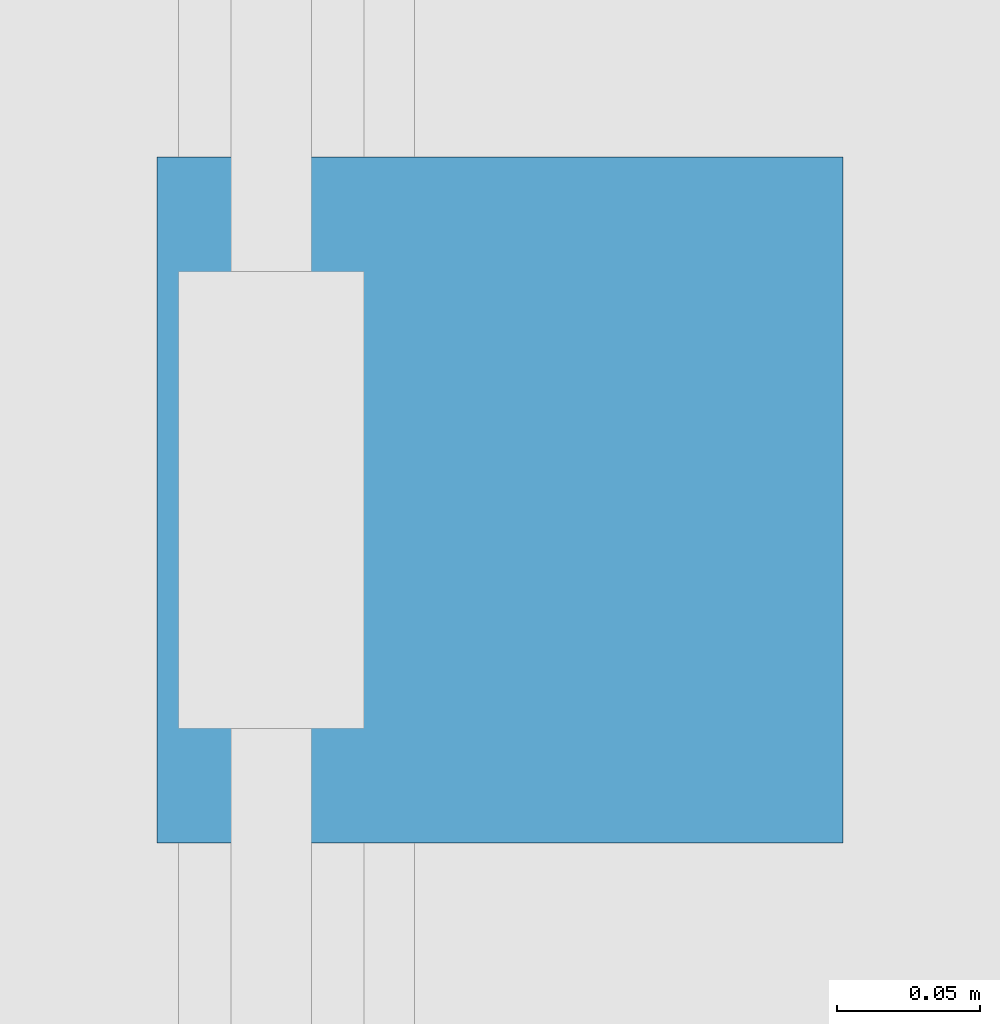
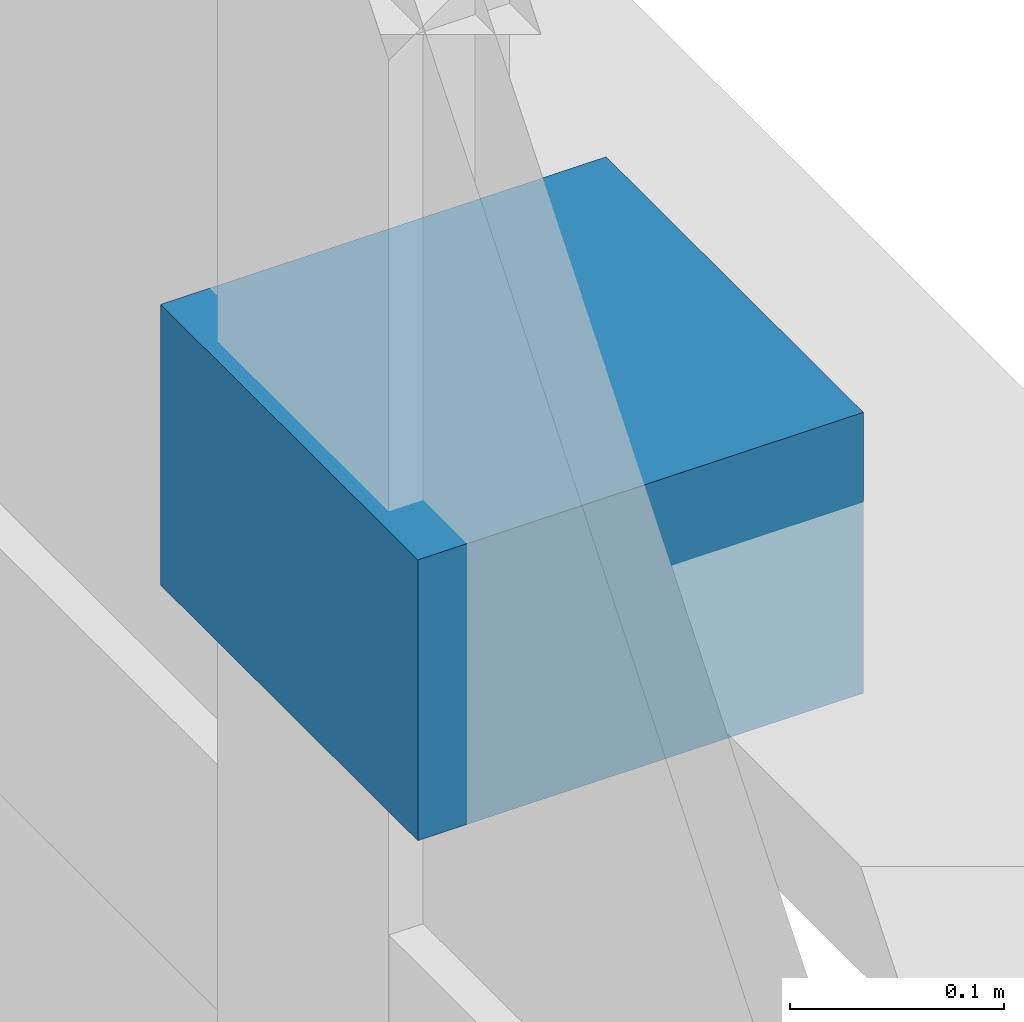
# One storey, part 106 of 114: 1 discrete accessory.
"""IFC4 building model written with IfcOpenShell, lengths in metres."""

import ifcopenshell
import ifcopenshell.guid

model = None  # the IFC model being written
_history = None  # IfcOwnerHistory: only IFC2X3 demands one
_inside = {}  # id of a spatial element -> (the spatial element, [elements in it])
_under = {}  # id of a project, library or spatial element -> (it, [spatial elements below it])
_declared = {}  # id of a project -> (the project, [libraries it declares])
_typed = {}  # id of a type object -> (the type object, [elements of that type])
_made_of = {}  # id of a material, layer set ... -> (it, [elements and type objects made of it])


def new_model(schema):
    """Start an empty IFC model of exactly this schema.

    Asked for "IFC4X3", IfcOpenShell would pick the latest addendum, in which some entities
    have other attributes; the version numbers below select the first issue.
    IFC2X3 requires an IfcOwnerHistory on every rooted entity: one is made here for all.
    """
    global model, _history
    if schema == "IFC4X3":
        model = ifcopenshell.file(schema_version=(4, 3, 0, 0))
    else:
        model = ifcopenshell.file(schema=schema)
    _inside.clear()
    _under.clear()
    _declared.clear()
    _typed.clear()
    _made_of.clear()
    _history = None
    if model.schema == "IFC2X3":
        org = make("IfcOrganization", Name="unknown")
        user = make(
            "IfcPersonAndOrganization",
            ThePerson=make("IfcPerson", FamilyName="unknown"),
            TheOrganization=org,
        )
        app = make(
            "IfcApplication",
            ApplicationDeveloper=org,
            Version="unknown",
            ApplicationFullName="unknown",
            ApplicationIdentifier="unknown",
        )
        _history = make(
            "IfcOwnerHistory",
            OwningUser=user,
            OwningApplication=app,
            ChangeAction="ADDED",
            CreationDate=0,
        )
    return model


def make(cls, **values):
    """One entity of the class cls with the attributes given. An attribute that is None is left unset."""
    return model.create_entity(
        cls, **{name: value for name, value in values.items() if value is not None}
    )


def rooted(cls, **values):
    """An entity with a GlobalId (a new one), such as an element, a storey or a relation."""
    return make(cls, GlobalId=ifcopenshell.guid.new(), OwnerHistory=_history, **values)


def si_unit(unit_type, name, prefix=None):
    """IfcSIUnit, for example si_unit("LENGTHUNIT", "METRE", prefix="MILLI")."""
    return make("IfcSIUnit", UnitType=unit_type, Prefix=prefix, Name=name)


def assignment(units):
    """IfcUnitAssignment: the units of a project."""
    return None if units is None else make("IfcUnitAssignment", Units=units)


def point(xyz):
    """IfcCartesianPoint."""
    return None if xyz is None else make("IfcCartesianPoint", Coordinates=xyz)


def direction(xyz):
    """IfcDirection."""
    return None if xyz is None else make("IfcDirection", DirectionRatios=xyz)


def frame(location, z_axis=None, x_axis=None):
    """IfcAxis2Placement3D, a coordinate frame: its origin and axes. An axis left out is left unset."""
    return make(
        "IfcAxis2Placement3D",
        Location=point(location),
        Axis=direction(z_axis),
        RefDirection=direction(x_axis),
    )


def frame_2d(location, x_axis=None):
    """IfcAxis2Placement2D, a coordinate frame in the plane: its origin and x axis."""
    return make(
        "IfcAxis2Placement2D", Location=point(location), RefDirection=direction(x_axis)
    )


def origin():
    """The frame at (0, 0, 0) with its axes left unset."""
    return frame((0.0, 0.0, 0.0))


def origin_2d():
    """The frame at (0, 0) in the plane with its x axis left unset."""
    return frame_2d((0.0, 0.0))


def place(relative_to, where):
    """IfcLocalPlacement: puts the frame where relative to a parent placement (None: the world)."""
    return make(
        "IfcLocalPlacement", PlacementRelTo=relative_to, RelativePlacement=where
    )


def context(
    kind, dimensions, precision=None, world=None, true_north=None, identifier=None
):
    """IfcGeometricRepresentationContext, for example the 3D "Model" context."""
    return make(
        "IfcGeometricRepresentationContext",
        ContextIdentifier=identifier,
        ContextType=kind,
        CoordinateSpaceDimension=dimensions,
        Precision=precision,
        WorldCoordinateSystem=world,
        TrueNorth=true_north,
    )


def subcontext(parent, identifier, kind, view, scale=None):
    """IfcGeometricRepresentationSubContext, for example "Body" below "Model"."""
    return make(
        "IfcGeometricRepresentationSubContext",
        ContextIdentifier=identifier,
        ContextType=kind,
        ParentContext=parent,
        TargetScale=scale,
        TargetView=view,
    )


def project(units=None, contexts=None):
    """IfcProject with its units and contexts."""
    return rooted(
        "IfcProject",
        Name="project",
        RepresentationContexts=contexts,
        UnitsInContext=assignment(units),
    )


def spatial(cls, under=None, at=None, **own):
    """A site, building, storey or space (cls), placed at a placement, below another one or the project."""
    s = rooted(cls, ObjectPlacement=at, **own)
    if under is not None:
        _under.setdefault(under.id(), (under, []))[1].append(s)
    return s


def profile(cls, at=None, kind="AREA", **sizes):
    """A parametric profile (cls). Its sizes go by their IFC names, for example OverallWidth=200.0."""
    return make(cls, ProfileType=kind, Position=at, **sizes)


def rectangle(**sizes):
    """IfcRectangleProfileDef."""
    return profile("IfcRectangleProfileDef", **sizes)


def extrude(swept, where, along, depth):
    """IfcExtrudedAreaSolid: the profile swept, set in the frame where, extruded along a direction by depth."""
    return make(
        "IfcExtrudedAreaSolid",
        SweptArea=swept,
        Position=where,
        ExtrudedDirection=direction(along),
        Depth=depth,
    )


def shape(context_of_items, identifier, shape_type, items):
    """IfcShapeRepresentation: the items that make up one representation, for example the "Body"."""
    return make(
        "IfcShapeRepresentation",
        ContextOfItems=context_of_items,
        RepresentationIdentifier=identifier,
        RepresentationType=shape_type,
        Items=items,
    )


def material(Name=None, Category=None):
    """IfcMaterial."""
    return make("IfcMaterial", Name=Name, Category=Category)


def made_of(thing, what):
    """Note that an element or type object is made of a material, layer set ...; save() writes the relation."""
    if what is not None:
        _made_of.setdefault(what.id(), (what, []))[1].append(thing)
    return thing


def type_object(cls, material=None, **own):
    """A type object (cls), such as IfcWallType, which elements share."""
    return made_of(rooted(cls, **own), material)


def element(
    cls,
    number,
    at=None,
    inside=None,
    cuts=None,
    type_object=None,
    material=None,
    context=None,
    identifier="Body",
    shape_type=None,
    held_by="IfcProductDefinitionShape",
    body=None,
    shapes=None,
    **own,
):
    """One element of the class cls, such as IfcWall. Its Tag is "e" and its number.

    at: its placement. inside: the storey or other place that contains it. cuts: it is an
    opening in that element (IfcRelVoidsElement). A single representation is given by context,
    identifier, shape_type and body (its items); several are given by shapes. held_by: the class
    of the entity that holds the representations. save() writes the other relations.
    """
    e = rooted(cls, Tag="e%d" % number, ObjectPlacement=at, **own)
    if body is not None:
        shapes = [shape(context, identifier, shape_type, body)]
    if shapes is not None:
        e.Representation = make(held_by, Representations=shapes)
    if inside is not None:
        _inside.setdefault(inside.id(), (inside, []))[1].append(e)
    if cuts is not None:
        rooted(
            "IfcRelVoidsElement", RelatingBuildingElement=cuts, RelatedOpeningElement=e
        )
    if type_object is not None:
        _typed.setdefault(type_object.id(), (type_object, []))[1].append(e)
    return made_of(e, material)


def aggregate(whole, parts):
    """IfcRelAggregates: a whole, such as a stair, and the parts it consists of."""
    return rooted("IfcRelAggregates", RelatingObject=whole, RelatedObjects=parts)


def save(model, path):
    """Write the relations noted so far, then the file.

    IfcRelAggregates (storeys below a building ...), IfcRelContainedInSpatialStructure (elements
    in a storey), IfcRelDefinesByType, IfcRelAssociatesMaterial and IfcRelDeclares: one each for
    every whole, place, type object, material and project.
    """
    for whole, parts in _under.values():
        aggregate(whole, parts)
    for where, things in _inside.values():
        rooted(
            "IfcRelContainedInSpatialStructure",
            RelatedElements=things,
            RelatingStructure=where,
        )
    for kind, things in _typed.values():
        rooted("IfcRelDefinesByType", RelatedObjects=things, RelatingType=kind)
    for what, things in _made_of.values():
        rooted("IfcRelAssociatesMaterial", RelatedObjects=things, RelatingMaterial=what)
    for by, libraries in _declared.values():
        rooted("IfcRelDeclares", RelatingContext=by, RelatedDefinitions=libraries)
    model.write(path)


model = new_model("IFC4")

# Units and contexts
model_context = context("Model", 3, precision=1e-05, world=origin(), true_north=direction((0.0, 1.0)))
body_context = subcontext(model_context, "Body", "Model", "MODEL_VIEW")
ifc_project = project(units=[si_unit("LENGTHUNIT", "METRE"), si_unit("AREAUNIT", "SQUARE_METRE"), si_unit("VOLUMEUNIT", "CUBIC_METRE"), si_unit("PLANEANGLEUNIT", "RADIAN"), si_unit("MASSUNIT", "GRAM", prefix="KILO")], contexts=[model_context])

# Site, building, storey
site_placement = place(None, origin())
site = spatial("IfcSite", under=ifc_project, at=site_placement, CompositionType="ELEMENT")
building_placement = place(site_placement, origin())
building = spatial("IfcBuilding", under=site, at=building_placement, Name="Tameran Prism Museum", CompositionType="ELEMENT")
storey_placement = place(building_placement, frame((0.0, 0.0, 10.199951171875)))
storey = spatial("IfcBuildingStorey", under=building, at=storey_placement, Name="L02", CompositionType="ELEMENT", Elevation=10.199951171875)

# Discrete accessory
ifc_material = material(Name="Galvanized Steel Grade 350 (350 MPa)", Category="steel")
discrete_accessory_type = type_object("IfcDiscreteAccessoryType", Name="DA-BRK-STL", PredefinedType="BRACKET", material=ifc_material)
discrete_accessory_placement = place(storey_placement, frame((166.47998046875, 104.050048828125, 3.09033203125), z_axis=(0.0, 0.0, 1.0), x_axis=(0.0, -1.0, 0.0)))
element("IfcDiscreteAccessory", 1, at=discrete_accessory_placement, inside=storey, type_object=discrete_accessory_type, Name="Facade Sunshade Bracket BK-042", PredefinedType="BRACKET", context=body_context, shape_type="SweptSolid", body=[
    extrude(rectangle(XDim=0.239990234375, YDim=0.239990234375, at=origin_2d()), origin(), (0.0, 0.0, 1.0), 0.159912109375),
])

save(model, "model.ifc")
